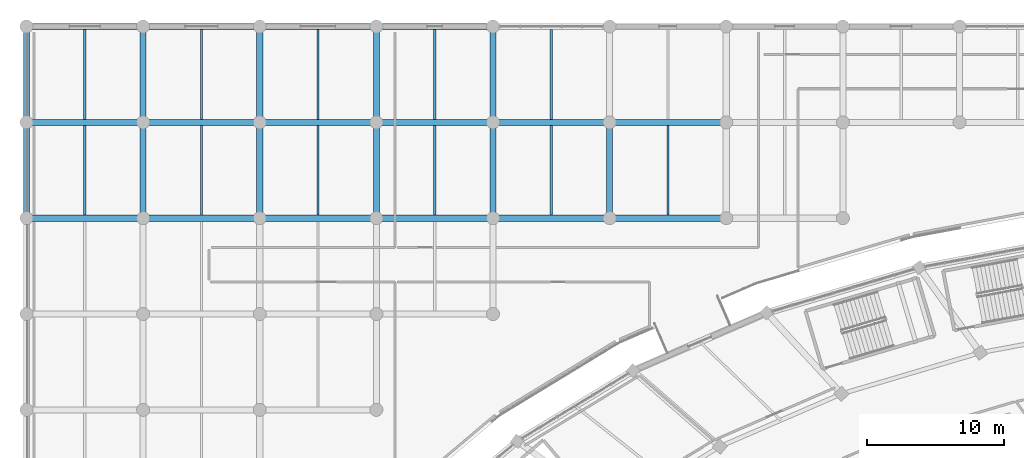
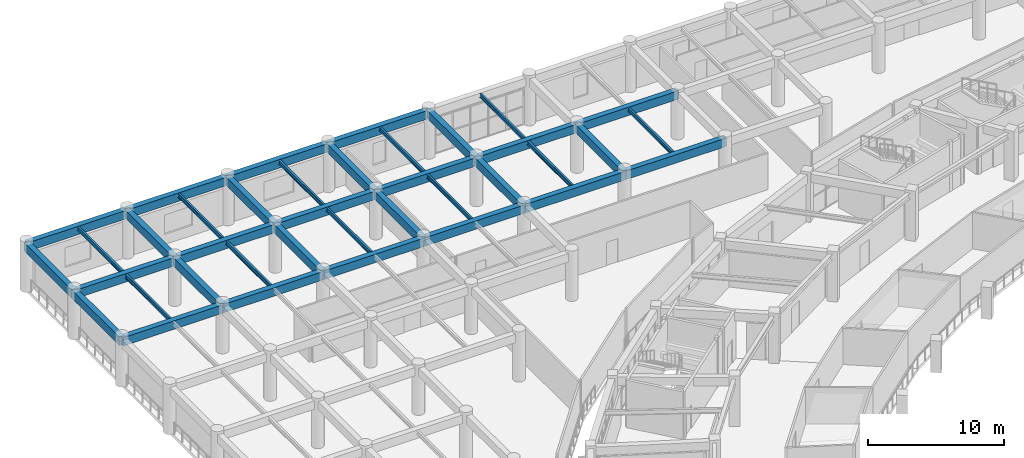
# One storey, part 53 of 141: 38 beams.
"""IFC4 building model written with IfcOpenShell, lengths in metres."""

import ifcopenshell
import ifcopenshell.guid

model = None  # the IFC model being written
_history = None  # IfcOwnerHistory: only IFC2X3 demands one
_inside = {}  # id of a spatial element -> (the spatial element, [elements in it])
_under = {}  # id of a project, library or spatial element -> (it, [spatial elements below it])
_declared = {}  # id of a project -> (the project, [libraries it declares])
_typed = {}  # id of a type object -> (the type object, [elements of that type])
_made_of = {}  # id of a material, layer set ... -> (it, [elements and type objects made of it])


def new_model(schema):
    """Start an empty IFC model of exactly this schema.

    Asked for "IFC4X3", IfcOpenShell would pick the latest addendum, in which some entities
    have other attributes; the version numbers below select the first issue.
    IFC2X3 requires an IfcOwnerHistory on every rooted entity: one is made here for all.
    """
    global model, _history
    if schema == "IFC4X3":
        model = ifcopenshell.file(schema_version=(4, 3, 0, 0))
    else:
        model = ifcopenshell.file(schema=schema)
    _inside.clear()
    _under.clear()
    _declared.clear()
    _typed.clear()
    _made_of.clear()
    _history = None
    if model.schema == "IFC2X3":
        org = make("IfcOrganization", Name="unknown")
        user = make(
            "IfcPersonAndOrganization",
            ThePerson=make("IfcPerson", FamilyName="unknown"),
            TheOrganization=org,
        )
        app = make(
            "IfcApplication",
            ApplicationDeveloper=org,
            Version="unknown",
            ApplicationFullName="unknown",
            ApplicationIdentifier="unknown",
        )
        _history = make(
            "IfcOwnerHistory",
            OwningUser=user,
            OwningApplication=app,
            ChangeAction="ADDED",
            CreationDate=0,
        )
    return model


def make(cls, **values):
    """One entity of the class cls with the attributes given. An attribute that is None is left unset."""
    return model.create_entity(
        cls, **{name: value for name, value in values.items() if value is not None}
    )


def rooted(cls, **values):
    """An entity with a GlobalId (a new one), such as an element, a storey or a relation."""
    return make(cls, GlobalId=ifcopenshell.guid.new(), OwnerHistory=_history, **values)


def si_unit(unit_type, name, prefix=None):
    """IfcSIUnit, for example si_unit("LENGTHUNIT", "METRE", prefix="MILLI")."""
    return make("IfcSIUnit", UnitType=unit_type, Prefix=prefix, Name=name)


def assignment(units):
    """IfcUnitAssignment: the units of a project."""
    return None if units is None else make("IfcUnitAssignment", Units=units)


def point(xyz):
    """IfcCartesianPoint."""
    return None if xyz is None else make("IfcCartesianPoint", Coordinates=xyz)


def direction(xyz):
    """IfcDirection."""
    return None if xyz is None else make("IfcDirection", DirectionRatios=xyz)


def frame(location, z_axis=None, x_axis=None):
    """IfcAxis2Placement3D, a coordinate frame: its origin and axes. An axis left out is left unset."""
    return make(
        "IfcAxis2Placement3D",
        Location=point(location),
        Axis=direction(z_axis),
        RefDirection=direction(x_axis),
    )


def frame_2d(location, x_axis=None):
    """IfcAxis2Placement2D, a coordinate frame in the plane: its origin and x axis."""
    return make(
        "IfcAxis2Placement2D", Location=point(location), RefDirection=direction(x_axis)
    )


def origin():
    """The frame at (0, 0, 0) with its axes left unset."""
    return frame((0.0, 0.0, 0.0))


def origin_2d():
    """The frame at (0, 0) in the plane with its x axis left unset."""
    return frame_2d((0.0, 0.0))


def place(relative_to, where):
    """IfcLocalPlacement: puts the frame where relative to a parent placement (None: the world)."""
    return make(
        "IfcLocalPlacement", PlacementRelTo=relative_to, RelativePlacement=where
    )


def context(
    kind, dimensions, precision=None, world=None, true_north=None, identifier=None
):
    """IfcGeometricRepresentationContext, for example the 3D "Model" context."""
    return make(
        "IfcGeometricRepresentationContext",
        ContextIdentifier=identifier,
        ContextType=kind,
        CoordinateSpaceDimension=dimensions,
        Precision=precision,
        WorldCoordinateSystem=world,
        TrueNorth=true_north,
    )


def subcontext(parent, identifier, kind, view, scale=None):
    """IfcGeometricRepresentationSubContext, for example "Body" below "Model"."""
    return make(
        "IfcGeometricRepresentationSubContext",
        ContextIdentifier=identifier,
        ContextType=kind,
        ParentContext=parent,
        TargetScale=scale,
        TargetView=view,
    )


def project(units=None, contexts=None):
    """IfcProject with its units and contexts."""
    return rooted(
        "IfcProject",
        Name="project",
        RepresentationContexts=contexts,
        UnitsInContext=assignment(units),
    )


def spatial(cls, under=None, at=None, **own):
    """A site, building, storey or space (cls), placed at a placement, below another one or the project."""
    s = rooted(cls, ObjectPlacement=at, **own)
    if under is not None:
        _under.setdefault(under.id(), (under, []))[1].append(s)
    return s


def profile(cls, at=None, kind="AREA", **sizes):
    """A parametric profile (cls). Its sizes go by their IFC names, for example OverallWidth=200.0."""
    return make(cls, ProfileType=kind, Position=at, **sizes)


def rectangle(**sizes):
    """IfcRectangleProfileDef."""
    return profile("IfcRectangleProfileDef", **sizes)


def i_section(**sizes):
    """IfcIShapeProfileDef."""
    return profile("IfcIShapeProfileDef", **sizes)


def extrude(swept, where, along, depth):
    """IfcExtrudedAreaSolid: the profile swept, set in the frame where, extruded along a direction by depth."""
    return make(
        "IfcExtrudedAreaSolid",
        SweptArea=swept,
        Position=where,
        ExtrudedDirection=direction(along),
        Depth=depth,
    )


def shape(context_of_items, identifier, shape_type, items):
    """IfcShapeRepresentation: the items that make up one representation, for example the "Body"."""
    return make(
        "IfcShapeRepresentation",
        ContextOfItems=context_of_items,
        RepresentationIdentifier=identifier,
        RepresentationType=shape_type,
        Items=items,
    )


def material(Name=None, Category=None):
    """IfcMaterial."""
    return make("IfcMaterial", Name=Name, Category=Category)


def material_profile(
    of_material, cross_section, Name=None, Category=None, Priority=None
):
    """IfcMaterialProfile: a cross section and its material."""
    return make(
        "IfcMaterialProfile",
        Name=Name,
        Material=of_material,
        Profile=cross_section,
        Priority=Priority,
        Category=Category,
    )


def profile_set(profiles, Name=None, composite=None):
    """IfcMaterialProfileSet."""
    return make(
        "IfcMaterialProfileSet",
        Name=Name,
        MaterialProfiles=profiles,
        CompositeProfile=composite,
    )


def made_of(thing, what):
    """Note that an element or type object is made of a material, layer set ...; save() writes the relation."""
    if what is not None:
        _made_of.setdefault(what.id(), (what, []))[1].append(thing)
    return thing


def type_object(cls, material=None, **own):
    """A type object (cls), such as IfcWallType, which elements share."""
    return made_of(rooted(cls, **own), material)


def element(
    cls,
    number,
    at=None,
    inside=None,
    cuts=None,
    type_object=None,
    material=None,
    context=None,
    identifier="Body",
    shape_type=None,
    held_by="IfcProductDefinitionShape",
    body=None,
    shapes=None,
    **own,
):
    """One element of the class cls, such as IfcWall. Its Tag is "e" and its number.

    at: its placement. inside: the storey or other place that contains it. cuts: it is an
    opening in that element (IfcRelVoidsElement). A single representation is given by context,
    identifier, shape_type and body (its items); several are given by shapes. held_by: the class
    of the entity that holds the representations. save() writes the other relations.
    """
    e = rooted(cls, Tag="e%d" % number, ObjectPlacement=at, **own)
    if body is not None:
        shapes = [shape(context, identifier, shape_type, body)]
    if shapes is not None:
        e.Representation = make(held_by, Representations=shapes)
    if inside is not None:
        _inside.setdefault(inside.id(), (inside, []))[1].append(e)
    if cuts is not None:
        rooted(
            "IfcRelVoidsElement", RelatingBuildingElement=cuts, RelatedOpeningElement=e
        )
    if type_object is not None:
        _typed.setdefault(type_object.id(), (type_object, []))[1].append(e)
    return made_of(e, material)


def aggregate(whole, parts):
    """IfcRelAggregates: a whole, such as a stair, and the parts it consists of."""
    return rooted("IfcRelAggregates", RelatingObject=whole, RelatedObjects=parts)


def save(model, path):
    """Write the relations noted so far, then the file.

    IfcRelAggregates (storeys below a building ...), IfcRelContainedInSpatialStructure (elements
    in a storey), IfcRelDefinesByType, IfcRelAssociatesMaterial and IfcRelDeclares: one each for
    every whole, place, type object, material and project.
    """
    for whole, parts in _under.values():
        aggregate(whole, parts)
    for where, things in _inside.values():
        rooted(
            "IfcRelContainedInSpatialStructure",
            RelatedElements=things,
            RelatingStructure=where,
        )
    for kind, things in _typed.values():
        rooted("IfcRelDefinesByType", RelatedObjects=things, RelatingType=kind)
    for what, things in _made_of.values():
        rooted("IfcRelAssociatesMaterial", RelatedObjects=things, RelatingMaterial=what)
    for by, libraries in _declared.values():
        rooted("IfcRelDeclares", RelatingContext=by, RelatedDefinitions=libraries)
    model.write(path)


model = new_model("IFC4")

# Units and contexts
model_context = context("Model", 3, precision=1e-05, world=origin(), true_north=direction((0.0, 1.0)))
body_context = subcontext(model_context, "Body", "Model", "MODEL_VIEW")
ifc_project = project(units=[si_unit("LENGTHUNIT", "METRE"), si_unit("AREAUNIT", "SQUARE_METRE"), si_unit("VOLUMEUNIT", "CUBIC_METRE"), si_unit("PLANEANGLEUNIT", "RADIAN"), si_unit("MASSUNIT", "GRAM", prefix="KILO")], contexts=[model_context])

# Site, building, storey
site_placement = place(None, origin())
site = spatial("IfcSite", under=ifc_project, at=site_placement, CompositionType="ELEMENT")
building_placement = place(site_placement, origin())
building = spatial("IfcBuilding", under=site, at=building_placement, Name="Mphavela Belvedere Stadium", CompositionType="ELEMENT")
storey_placement = place(building_placement, frame((0.0, 0.0, 14.699951171875)))
storey = spatial("IfcBuildingStorey", under=building, at=storey_placement, Name="L03", CompositionType="ELEMENT", Elevation=14.699951171875)

# Beams
ifc_material_1 = material(Name="Steel S355", Category="steel")
ifc_material_profile_1 = material_profile(ifc_material_1, i_section(OverallWidth=0.169921875, OverallDepth=0.360107421875, WebThickness=0.008056640625, FlangeThickness=0.0126953125, at=origin_2d()), Name="IPE 360")
ifc_profile_set_1 = profile_set([ifc_material_profile_1], Name="Steel S355")
beam_type_1 = type_object("IfcBeamType", Name="BM-JOIST-IPE360", PredefinedType="JOIST", material=ifc_profile_set_1)
for number, where, z_axis, x_axis, name in (
    (1, (4.259521484375, 160.22509765625, 4.06005859375), (0.0, 1.0, 0.0), (-1.0, 0.0, 0.0), "North Mast and Ceremonial End Forecourt secondary joist L03 1-6"),
    (2, (4.259521484375, 167.22509765625, 4.06005859375), (0.0, 1.0, 0.0), (-1.0, 0.0, 0.0), "North Mast and Ceremonial End Forecourt secondary joist L03 1-7"),
    (3, (12.778076171875, 160.22509765625, 4.06005859375), (0.0, 1.0, 0.0), (-1.0, 0.0, 0.0), "North Mast and Ceremonial End Forecourt secondary joist L03 2-6"),
    (4, (12.778076171875, 167.22509765625, 4.06005859375), (0.0, 1.0, 0.0), (-1.0, 0.0, 0.0), "North Mast and Ceremonial End Forecourt secondary joist L03 2-7"),
    (5, (21.29638671875, 160.22509765625, 4.06005859375), (0.0, 1.0, 0.0), (-1.0, 0.0, 0.0), "North Mast and Ceremonial End Forecourt secondary joist L03 3-6"),
    (6, (21.29638671875, 167.22509765625, 4.06005859375), (0.0, 1.0, 0.0), (-1.0, 0.0, 0.0), "North Mast and Ceremonial End Forecourt secondary joist L03 3-7"),
    (7, (29.81494140625, 160.22509765625, 4.06005859375), (0.0, 1.0, 0.0), (-1.0, 0.0, 0.0), "North Mast and Ceremonial End Forecourt secondary joist L03 4-6"),
    (8, (29.81494140625, 167.22509765625, 4.06005859375), (0.0, 1.0, 0.0), (-1.0, 0.0, 0.0), "North Mast and Ceremonial End Forecourt secondary joist L03 4-7"),
    (9, (38.33349609375, 160.22509765625, 4.06005859375), (0.0, 1.0, 0.0), (-1.0, 0.0, 0.0), "North Mast and Ceremonial End Forecourt secondary joist L03 5-6"),
    (10, (38.33349609375, 167.22509765625, 4.06005859375), (0.0, 1.0, 0.0), (-1.0, 0.0, 0.0), "North Mast and Ceremonial End Forecourt secondary joist L03 5-7"),
    (11, (46.85205078125, 160.22509765625, 4.06005859375), (0.0, 1.0, 0.0), (-1.0, 0.0, 0.0), "North Mast and Ceremonial End Forecourt secondary joist L03 6-6"),
):
    element("IfcBeam", number, at=place(storey_placement, frame(where, z_axis=z_axis, x_axis=x_axis)), inside=storey, type_object=beam_type_1, Name=name, PredefinedType="JOIST", context=body_context, shape_type="SweptSolid", body=[
        extrude(i_section(OverallWidth=0.169921875, OverallDepth=0.360107421875, WebThickness=0.008056640625, FlangeThickness=0.0126953125, at=origin_2d()), origin(), (0.0, 0.0, 1.0), 6.5498046875),
    ])
ifc_material_2 = material(Name="Concrete C40/50", Category="concrete")
ifc_material_profile_2 = material_profile(ifc_material_2, rectangle(XDim=0.449951171875, YDim=0.75, at=origin_2d()), Name="RC 450x750")
ifc_profile_set_2 = profile_set([ifc_material_profile_2], Name="Concrete C40/50")
beam_type_2 = type_object("IfcBeamType", Name="BM-RC450x750", PredefinedType="BEAM", material=ifc_profile_set_2)
beam_1_placement = place(storey_placement, frame((0.0, 160.0, 3.864990234375), z_axis=(1.0, 0.0, 0.0), x_axis=(0.0, 1.0, 0.0)))
element("IfcBeam", 12, at=beam_1_placement, inside=storey, type_object=beam_type_2, Name="North Mast and Ceremonial End Forecourt entablature beam X L03 1-6", PredefinedType="BEAM", context=body_context, shape_type="SweptSolid", body=[
    extrude(rectangle(XDim=0.449951171875, YDim=0.75, at=origin_2d()), origin(), (0.0, 0.0, 1.0), 8.51904296875),
])
beam_2_placement = place(storey_placement, frame((0.0, 160.0, 3.864990234375), z_axis=(0.0, 1.0, 0.0), x_axis=(-1.0, 0.0, 0.0)))
element("IfcBeam", 13, at=beam_2_placement, inside=storey, type_object=beam_type_2, Name="North Mast and Ceremonial End Forecourt entablature beam Y L03 1-6", PredefinedType="BEAM", context=body_context, shape_type="SweptSolid", body=[
    extrude(rectangle(XDim=0.449951171875, YDim=0.75, at=origin_2d()), origin(), (0.0, 0.0, 1.0), 7.0),
])
beam_3_placement = place(storey_placement, frame((0.0, 167.0, 3.864990234375), z_axis=(1.0, 0.0, 0.0), x_axis=(0.0, 1.0, 0.0)))
element("IfcBeam", 14, at=beam_3_placement, inside=storey, type_object=beam_type_2, Name="North Mast and Ceremonial End Forecourt entablature beam X L03 1-7", PredefinedType="BEAM", context=body_context, shape_type="SweptSolid", body=[
    extrude(rectangle(XDim=0.449951171875, YDim=0.75, at=origin_2d()), origin(), (0.0, 0.0, 1.0), 8.51904296875),
])
beam_4_placement = place(storey_placement, frame((0.0, 167.0, 3.864990234375), z_axis=(0.0, 1.0, 0.0), x_axis=(-1.0, 0.0, 0.0)))
element("IfcBeam", 15, at=beam_4_placement, inside=storey, type_object=beam_type_2, Name="North Mast and Ceremonial End Forecourt entablature beam Y L03 1-7", PredefinedType="BEAM", context=body_context, shape_type="SweptSolid", body=[
    extrude(rectangle(XDim=0.449951171875, YDim=0.75, at=origin_2d()), origin(), (0.0, 0.0, 1.0), 7.0),
])
beam_5_placement = place(storey_placement, frame((0.0, 174.0, 3.864990234375), z_axis=(1.0, 0.0, 0.0), x_axis=(0.0, 1.0, 0.0)))
element("IfcBeam", 16, at=beam_5_placement, inside=storey, type_object=beam_type_2, Name="North Mast and Ceremonial End Forecourt entablature beam X L03 1-8", PredefinedType="BEAM", context=body_context, shape_type="SweptSolid", body=[
    extrude(rectangle(XDim=0.449951171875, YDim=0.75, at=origin_2d()), origin(), (0.0, 0.0, 1.0), 8.51904296875),
])
beam_6_placement = place(storey_placement, frame((8.51904296875, 160.0, 3.864990234375), z_axis=(1.0, 0.0, 0.0), x_axis=(0.0, 1.0, 0.0)))
element("IfcBeam", 17, at=beam_6_placement, inside=storey, type_object=beam_type_2, Name="North Mast and Ceremonial End Forecourt entablature beam X L03 2-6", PredefinedType="BEAM", context=body_context, shape_type="SweptSolid", body=[
    extrude(rectangle(XDim=0.449951171875, YDim=0.75, at=origin_2d()), origin(), (0.0, 0.0, 1.0), 8.51806640625),
])
beam_7_placement = place(storey_placement, frame((8.51904296875, 160.0, 3.864990234375), z_axis=(0.0, 1.0, 0.0), x_axis=(-1.0, 0.0, 0.0)))
element("IfcBeam", 18, at=beam_7_placement, inside=storey, type_object=beam_type_2, Name="North Mast and Ceremonial End Forecourt entablature beam Y L03 2-6", PredefinedType="BEAM", context=body_context, shape_type="SweptSolid", body=[
    extrude(rectangle(XDim=0.449951171875, YDim=0.75, at=origin_2d()), origin(), (0.0, 0.0, 1.0), 7.0),
])
beam_8_placement = place(storey_placement, frame((8.51904296875, 167.0, 3.864990234375), z_axis=(1.0, 0.0, 0.0), x_axis=(0.0, 1.0, 0.0)))
element("IfcBeam", 19, at=beam_8_placement, inside=storey, type_object=beam_type_2, Name="North Mast and Ceremonial End Forecourt entablature beam X L03 2-7", PredefinedType="BEAM", context=body_context, shape_type="SweptSolid", body=[
    extrude(rectangle(XDim=0.449951171875, YDim=0.75, at=origin_2d()), origin(), (0.0, 0.0, 1.0), 8.51806640625),
])
beam_9_placement = place(storey_placement, frame((8.51904296875, 167.0, 3.864990234375), z_axis=(0.0, 1.0, 0.0), x_axis=(-1.0, 0.0, 0.0)))
element("IfcBeam", 20, at=beam_9_placement, inside=storey, type_object=beam_type_2, Name="North Mast and Ceremonial End Forecourt entablature beam Y L03 2-7", PredefinedType="BEAM", context=body_context, shape_type="SweptSolid", body=[
    extrude(rectangle(XDim=0.449951171875, YDim=0.75, at=origin_2d()), origin(), (0.0, 0.0, 1.0), 7.0),
])
beam_10_placement = place(storey_placement, frame((8.51904296875, 174.0, 3.864990234375), z_axis=(1.0, 0.0, 0.0), x_axis=(0.0, 1.0, 0.0)))
element("IfcBeam", 21, at=beam_10_placement, inside=storey, type_object=beam_type_2, Name="North Mast and Ceremonial End Forecourt entablature beam X L03 2-8", PredefinedType="BEAM", context=body_context, shape_type="SweptSolid", body=[
    extrude(rectangle(XDim=0.449951171875, YDim=0.75, at=origin_2d()), origin(), (0.0, 0.0, 1.0), 8.51806640625),
])
beam_11_placement = place(storey_placement, frame((17.037109375, 160.0, 3.864990234375), z_axis=(1.0, 0.0, 0.0), x_axis=(0.0, 1.0, 0.0)))
element("IfcBeam", 22, at=beam_11_placement, inside=storey, type_object=beam_type_2, Name="North Mast and Ceremonial End Forecourt entablature beam X L03 3-6", PredefinedType="BEAM", context=body_context, shape_type="SweptSolid", body=[
    extrude(rectangle(XDim=0.449951171875, YDim=0.75, at=origin_2d()), origin(), (0.0, 0.0, 1.0), 8.518798828125),
])
beam_12_placement = place(storey_placement, frame((17.037109375, 160.0, 3.864990234375), z_axis=(0.0, 1.0, 0.0), x_axis=(-1.0, 0.0, 0.0)))
element("IfcBeam", 23, at=beam_12_placement, inside=storey, type_object=beam_type_2, Name="North Mast and Ceremonial End Forecourt entablature beam Y L03 3-6", PredefinedType="BEAM", context=body_context, shape_type="SweptSolid", body=[
    extrude(rectangle(XDim=0.449951171875, YDim=0.75, at=origin_2d()), origin(), (0.0, 0.0, 1.0), 7.0),
])
beam_13_placement = place(storey_placement, frame((17.037109375, 167.0, 3.864990234375), z_axis=(1.0, 0.0, 0.0), x_axis=(0.0, 1.0, 0.0)))
element("IfcBeam", 24, at=beam_13_placement, inside=storey, type_object=beam_type_2, Name="North Mast and Ceremonial End Forecourt entablature beam X L03 3-7", PredefinedType="BEAM", context=body_context, shape_type="SweptSolid", body=[
    extrude(rectangle(XDim=0.449951171875, YDim=0.75, at=origin_2d()), origin(), (0.0, 0.0, 1.0), 8.518798828125),
])
beam_14_placement = place(storey_placement, frame((17.037109375, 167.0, 3.864990234375), z_axis=(0.0, 1.0, 0.0), x_axis=(-1.0, 0.0, 0.0)))
element("IfcBeam", 25, at=beam_14_placement, inside=storey, type_object=beam_type_2, Name="North Mast and Ceremonial End Forecourt entablature beam Y L03 3-7", PredefinedType="BEAM", context=body_context, shape_type="SweptSolid", body=[
    extrude(rectangle(XDim=0.449951171875, YDim=0.75, at=origin_2d()), origin(), (0.0, 0.0, 1.0), 7.0),
])
beam_15_placement = place(storey_placement, frame((17.037109375, 174.0, 3.864990234375), z_axis=(1.0, 0.0, 0.0), x_axis=(0.0, 1.0, 0.0)))
element("IfcBeam", 26, at=beam_15_placement, inside=storey, type_object=beam_type_2, Name="North Mast and Ceremonial End Forecourt entablature beam X L03 3-8", PredefinedType="BEAM", context=body_context, shape_type="SweptSolid", body=[
    extrude(rectangle(XDim=0.449951171875, YDim=0.75, at=origin_2d()), origin(), (0.0, 0.0, 1.0), 8.518798828125),
])
beam_16_placement = place(storey_placement, frame((25.555908203125, 160.0, 3.864990234375), z_axis=(1.0, 0.0, 0.0), x_axis=(0.0, 1.0, 0.0)))
element("IfcBeam", 27, at=beam_16_placement, inside=storey, type_object=beam_type_2, Name="North Mast and Ceremonial End Forecourt entablature beam X L03 4-6", PredefinedType="BEAM", context=body_context, shape_type="SweptSolid", body=[
    extrude(rectangle(XDim=0.449951171875, YDim=0.75, at=origin_2d()), origin(), (0.0, 0.0, 1.0), 8.51806640625),
])
beam_17_placement = place(storey_placement, frame((25.555908203125, 160.0, 3.864990234375), z_axis=(0.0, 1.0, 0.0), x_axis=(-1.0, 0.0, 0.0)))
element("IfcBeam", 28, at=beam_17_placement, inside=storey, type_object=beam_type_2, Name="North Mast and Ceremonial End Forecourt entablature beam Y L03 4-6", PredefinedType="BEAM", context=body_context, shape_type="SweptSolid", body=[
    extrude(rectangle(XDim=0.449951171875, YDim=0.75, at=origin_2d()), origin(), (0.0, 0.0, 1.0), 7.0),
])
beam_18_placement = place(storey_placement, frame((25.555908203125, 167.0, 3.864990234375), z_axis=(1.0, 0.0, 0.0), x_axis=(0.0, 1.0, 0.0)))
element("IfcBeam", 29, at=beam_18_placement, inside=storey, type_object=beam_type_2, Name="North Mast and Ceremonial End Forecourt entablature beam X L03 4-7", PredefinedType="BEAM", context=body_context, shape_type="SweptSolid", body=[
    extrude(rectangle(XDim=0.449951171875, YDim=0.75, at=origin_2d()), origin(), (0.0, 0.0, 1.0), 8.51806640625),
])
beam_19_placement = place(storey_placement, frame((25.555908203125, 167.0, 3.864990234375), z_axis=(0.0, 1.0, 0.0), x_axis=(-1.0, 0.0, 0.0)))
element("IfcBeam", 30, at=beam_19_placement, inside=storey, type_object=beam_type_2, Name="North Mast and Ceremonial End Forecourt entablature beam Y L03 4-7", PredefinedType="BEAM", context=body_context, shape_type="SweptSolid", body=[
    extrude(rectangle(XDim=0.449951171875, YDim=0.75, at=origin_2d()), origin(), (0.0, 0.0, 1.0), 7.0),
])
beam_20_placement = place(storey_placement, frame((25.555908203125, 174.0, 3.864990234375), z_axis=(1.0, 0.0, 0.0), x_axis=(0.0, 1.0, 0.0)))
element("IfcBeam", 31, at=beam_20_placement, inside=storey, type_object=beam_type_2, Name="North Mast and Ceremonial End Forecourt entablature beam X L03 4-8", PredefinedType="BEAM", context=body_context, shape_type="SweptSolid", body=[
    extrude(rectangle(XDim=0.449951171875, YDim=0.75, at=origin_2d()), origin(), (0.0, 0.0, 1.0), 8.51806640625),
])
beam_21_placement = place(storey_placement, frame((34.073974609375, 160.0, 3.864990234375), z_axis=(1.0, 0.0, 0.0), x_axis=(0.0, 1.0, 0.0)))
element("IfcBeam", 32, at=beam_21_placement, inside=storey, type_object=beam_type_2, Name="North Mast and Ceremonial End Forecourt entablature beam X L03 5-6", PredefinedType="BEAM", context=body_context, shape_type="SweptSolid", body=[
    extrude(rectangle(XDim=0.449951171875, YDim=0.75, at=origin_2d()), origin(), (0.0, 0.0, 1.0), 8.51904296875),
])
beam_22_placement = place(storey_placement, frame((34.073974609375, 160.0, 3.864990234375), z_axis=(0.0, 1.0, 0.0), x_axis=(-1.0, 0.0, 0.0)))
element("IfcBeam", 33, at=beam_22_placement, inside=storey, type_object=beam_type_2, Name="North Mast and Ceremonial End Forecourt entablature beam Y L03 5-6", PredefinedType="BEAM", context=body_context, shape_type="SweptSolid", body=[
    extrude(rectangle(XDim=0.449951171875, YDim=0.75, at=origin_2d()), origin(), (0.0, 0.0, 1.0), 7.0),
])
beam_23_placement = place(storey_placement, frame((34.073974609375, 167.0, 3.864990234375), z_axis=(1.0, 0.0, 0.0), x_axis=(0.0, 1.0, 0.0)))
element("IfcBeam", 34, at=beam_23_placement, inside=storey, type_object=beam_type_2, Name="North Mast and Ceremonial End Forecourt entablature beam X L03 5-7", PredefinedType="BEAM", context=body_context, shape_type="SweptSolid", body=[
    extrude(rectangle(XDim=0.449951171875, YDim=0.75, at=origin_2d()), origin(), (0.0, 0.0, 1.0), 8.51904296875),
])
beam_24_placement = place(storey_placement, frame((34.073974609375, 167.0, 3.864990234375), z_axis=(0.0, 1.0, 0.0), x_axis=(-1.0, 0.0, 0.0)))
element("IfcBeam", 35, at=beam_24_placement, inside=storey, type_object=beam_type_2, Name="North Mast and Ceremonial End Forecourt entablature beam Y L03 5-7", PredefinedType="BEAM", context=body_context, shape_type="SweptSolid", body=[
    extrude(rectangle(XDim=0.449951171875, YDim=0.75, at=origin_2d()), origin(), (0.0, 0.0, 1.0), 7.0),
])
beam_25_placement = place(storey_placement, frame((42.593017578125, 160.0, 3.864990234375), z_axis=(1.0, 0.0, 0.0), x_axis=(0.0, 1.0, 0.0)))
element("IfcBeam", 36, at=beam_25_placement, inside=storey, type_object=beam_type_2, Name="North Mast and Ceremonial End Forecourt entablature beam X L03 6-6", PredefinedType="BEAM", context=body_context, shape_type="SweptSolid", body=[
    extrude(rectangle(XDim=0.449951171875, YDim=0.75, at=origin_2d()), origin(), (0.0, 0.0, 1.0), 8.51806640625),
])
beam_26_placement = place(storey_placement, frame((42.593017578125, 160.0, 3.864990234375), z_axis=(0.0, 1.0, 0.0), x_axis=(-1.0, 0.0, 0.0)))
element("IfcBeam", 37, at=beam_26_placement, inside=storey, type_object=beam_type_2, Name="North Mast and Ceremonial End Forecourt entablature beam Y L03 6-6", PredefinedType="BEAM", context=body_context, shape_type="SweptSolid", body=[
    extrude(rectangle(XDim=0.449951171875, YDim=0.75, at=origin_2d()), origin(), (0.0, 0.0, 1.0), 7.0),
])
beam_27_placement = place(storey_placement, frame((42.593017578125, 167.0, 3.864990234375), z_axis=(1.0, 0.0, 0.0), x_axis=(0.0, 1.0, 0.0)))
element("IfcBeam", 38, at=beam_27_placement, inside=storey, type_object=beam_type_2, Name="North Mast and Ceremonial End Forecourt entablature beam X L03 6-7", PredefinedType="BEAM", context=body_context, shape_type="SweptSolid", body=[
    extrude(rectangle(XDim=0.449951171875, YDim=0.75, at=origin_2d()), origin(), (0.0, 0.0, 1.0), 8.51806640625),
])

save(model, "model.ifc")
